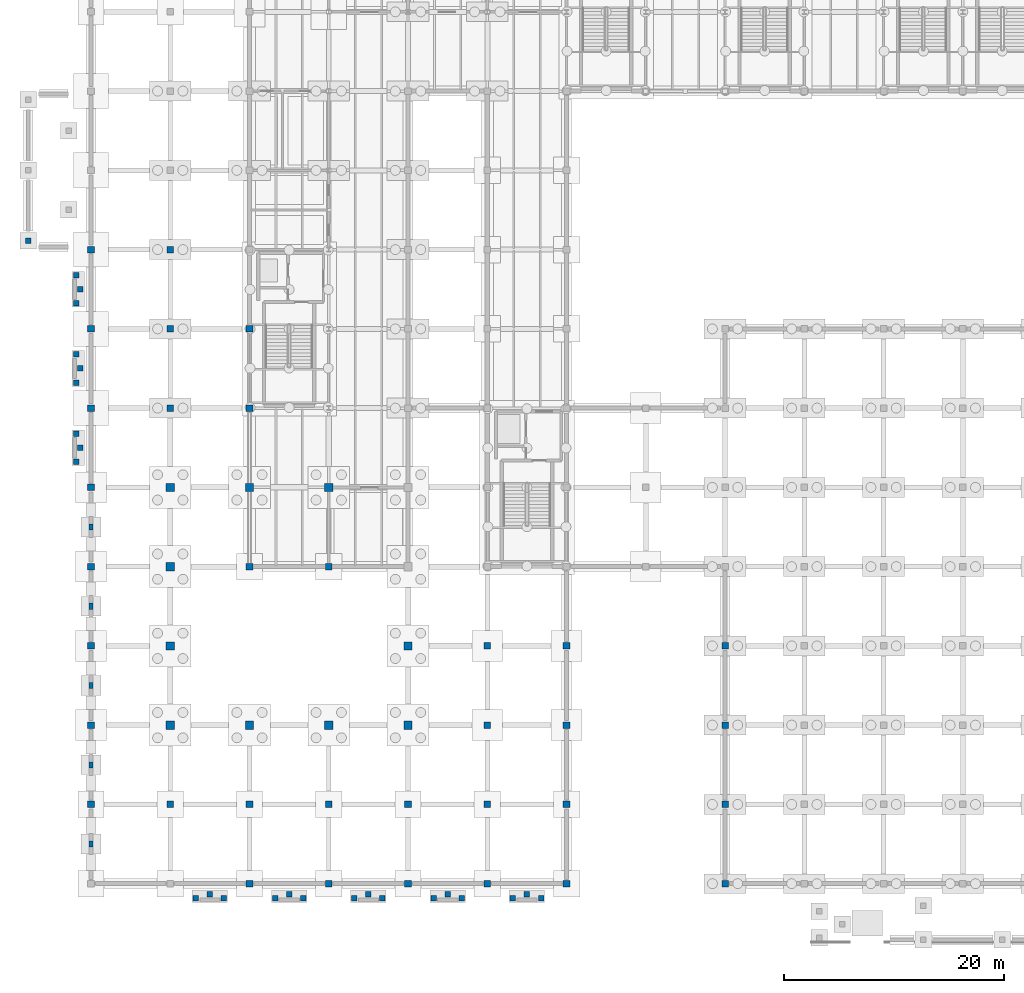
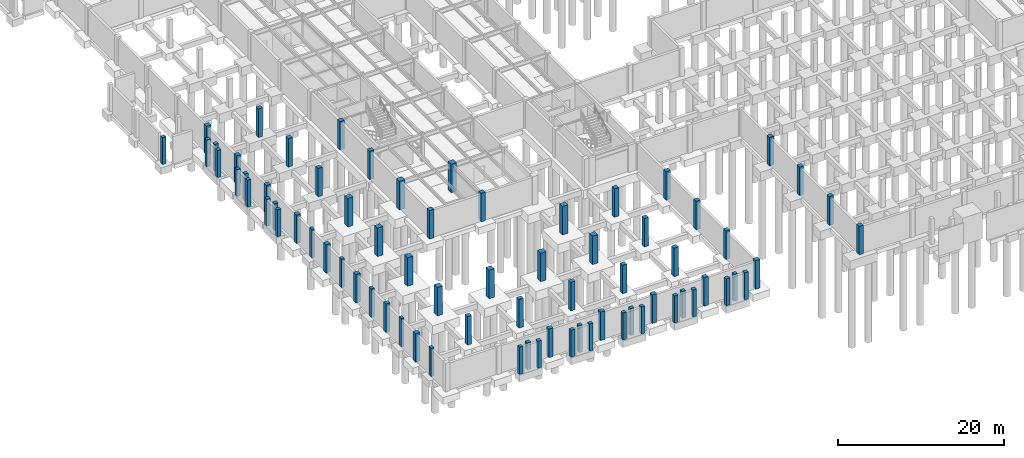
# One storey, part 11 of 46: 74 columns.
"""IFC4 building model written with IfcOpenShell, lengths in metres."""

from ifc_helpers import new_model, si_unit, direction, frame, origin, origin_2d, place, context, subcontext, project, spatial, rectangle, extrude, material, material_profile, profile_set, type_object, element, save


model = new_model("IFC4")

# Units and contexts
model_context = context("Model", 3, precision=1e-05, world=origin(), true_north=direction((0.0, 1.0)))
body_context = subcontext(model_context, "Body", "Model", "MODEL_VIEW")
ifc_project = project(units=[si_unit("LENGTHUNIT", "METRE"), si_unit("AREAUNIT", "SQUARE_METRE"), si_unit("VOLUMEUNIT", "CUBIC_METRE"), si_unit("PLANEANGLEUNIT", "RADIAN"), si_unit("MASSUNIT", "GRAM", prefix="KILO")], contexts=[model_context])

# Site, building, storey
site_placement = place(None, origin())
site = spatial("IfcSite", under=ifc_project, at=site_placement, CompositionType="ELEMENT")
building_placement = place(site_placement, origin())
building = spatial("IfcBuilding", under=site, at=building_placement, Name="Sillqori Civic Hall", CompositionType="ELEMENT")
storey_placement = place(building_placement, frame((0.0, 0.0, -4.199951171875)))
storey = spatial("IfcBuildingStorey", under=building, at=storey_placement, Name="B01", CompositionType="ELEMENT", Elevation=-4.199951171875)

# Columns
ifc_material = material(Name="Concrete C35/45 (H35)", Category="concrete")
ifc_material_profile_1 = material_profile(ifc_material, rectangle(XDim=0.5, YDim=0.5, at=origin_2d()), Name="RC 500x500")
ifc_profile_set_1 = profile_set([ifc_material_profile_1], Name="Concrete C35/45 (H35)")
column_type_1 = type_object("IfcColumnType", Name="COL-RC500", PredefinedType="COLUMN", material=ifc_profile_set_1)
for number, where, z_axis, x_axis, name in (
    (1, (1.5, 65.60009765625, 0.0), (0.0, 0.0, 1.0), (1.0, 0.0, 0.0), "Truck loading dock grade apron subgrade pier 1"),
    (2, (5.8798828125, 45.52001953125, 0.0), (0.0, 0.0, 1.0), (1.0, 0.0, 0.0), "Council West Avenue Exit subgrade pier 1"),
    (3, (5.8798828125, 48.080078125, 0.0), (0.0, 0.0, 1.0), (1.0, 0.0, 0.0), "Council West Avenue Exit subgrade pier 2"),
    (4, (6.239990234375, 46.800048828125, 0.0), (0.0, 0.0, 1.0), (1.0, 0.0, 0.0), "Council West Avenue Exit subgrade pier 3"),
    (5, (5.8798828125, 52.719970703125, 0.0), (0.0, 0.0, 1.0), (1.0, 0.0, 0.0), "West Directorate Service Exit subgrade pier 1"),
    (6, (5.8798828125, 55.280029296875, 0.0), (0.0, 0.0, 1.0), (1.0, 0.0, 0.0), "West Directorate Service Exit subgrade pier 2"),
    (7, (6.239990234375, 54.0, 0.0), (0.0, 0.0, 1.0), (1.0, 0.0, 0.0), "West Directorate Service Exit subgrade pier 3"),
    (8, (5.8798828125, 59.919921875, 0.0), (0.0, 0.0, 1.0), (1.0, 0.0, 0.0), "Committee Wing West Street Portal subgrade pier 1"),
    (9, (5.8798828125, 62.47998046875, 0.0), (0.0, 0.0, 1.0), (1.0, 0.0, 0.0), "Committee Wing West Street Portal subgrade pier 2"),
    (10, (6.239990234375, 61.199951171875, 0.0), (0.0, 0.0, 1.0), (1.0, 0.0, 0.0), "Committee Wing West Street Portal subgrade pier 3"),
    (11, (16.719970703125, 5.8798828125, 0.0), (0.0, 0.0, 1.0), (1.0, 0.0, 0.0), "Council Chamber West Street Portal subgrade pier 1"),
    (12, (19.280029296875, 5.8798828125, 0.0), (0.0, 0.0, 1.0), (1.0, 0.0, 0.0), "Council Chamber West Street Portal subgrade pier 2"),
    (13, (18.0, 6.239990234375, 0.0), (0.0, 0.0, 1.0), (1.0, 0.0, 0.0), "Council Chamber West Street Portal subgrade pier 3"),
    (14, (23.919921875, 5.8798828125, 0.0), (0.0, 0.0, 1.0), (1.0, 0.0, 0.0), "Council Chamber Ceremonial Entrance subgrade pier 1"),
    (15, (26.47998046875, 5.8798828125, 0.0), (0.0, 0.0, 1.0), (1.0, 0.0, 0.0), "Council Chamber Ceremonial Entrance subgrade pier 2"),
    (16, (25.199951171875, 6.239990234375, 0.0), (0.0, 0.0, 1.0), (1.0, 0.0, 0.0), "Council Chamber Ceremonial Entrance subgrade pier 3"),
    (17, (31.1201171875, 5.8798828125, 0.0), (0.0, 0.0, 1.0), (1.0, 0.0, 0.0), "Council Chamber East Street Portal subgrade pier 1"),
    (18, (33.679931640625, 5.8798828125, 0.0), (0.0, 0.0, 1.0), (1.0, 0.0, 0.0), "Council Chamber East Street Portal subgrade pier 2"),
    (19, (32.39990234375, 6.239990234375, 0.0), (0.0, 0.0, 1.0), (1.0, 0.0, 0.0), "Council Chamber East Street Portal subgrade pier 3"),
    (20, (38.320068359375, 5.8798828125, 0.0), (0.0, 0.0, 1.0), (1.0, 0.0, 0.0), "Council Foyer South Exit subgrade pier 1"),
    (21, (40.8798828125, 5.8798828125, 0.0), (0.0, 0.0, 1.0), (1.0, 0.0, 0.0), "Council Foyer South Exit subgrade pier 2"),
    (22, (39.60009765625, 6.239990234375, 0.0), (0.0, 0.0, 1.0), (1.0, 0.0, 0.0), "Council Foyer South Exit subgrade pier 3"),
    (23, (45.52001953125, 5.8798828125, 0.0), (0.0, 0.0, 1.0), (1.0, 0.0, 0.0), "Council Foyer Promenade Portal subgrade pier 1"),
    (24, (48.080078125, 5.8798828125, 0.0), (0.0, 0.0, 1.0), (1.0, 0.0, 0.0), "Council Foyer Promenade Portal subgrade pier 2"),
    (25, (46.800048828125, 6.239990234375, 0.0), (0.0, 0.0, 1.0), (1.0, 0.0, 0.0), "Council Foyer Promenade Portal subgrade pier 3"),
):
    element("IfcColumn", number, at=place(storey_placement, frame(where, z_axis=z_axis, x_axis=x_axis)), inside=storey, type_object=column_type_1, Name=name, PredefinedType="COLUMN", context=body_context, shape_type="SweptSolid", body=[
        extrude(rectangle(XDim=0.5, YDim=0.5, at=origin_2d()), origin(), (0.0, 0.0, 1.0), 3.97998046875),
    ])
ifc_material_profile_2 = material_profile(ifc_material, rectangle(XDim=0.60009765625, YDim=0.60009765625, at=origin_2d()), Name="RC 600x600")
ifc_profile_set_2 = profile_set([ifc_material_profile_2], Name="Concrete C35/45 (H35)")
column_type_2 = type_object("IfcColumnType", Name="COL-RC600", PredefinedType="COLUMN", material=ifc_profile_set_2)
for number, where, z_axis, x_axis, name in (
    (26, (7.199951171875, 14.39990234375, 0.0), (0.0, 0.0, 1.0), (1.0, 0.0, 0.0), "B01 column 1-2"),
    (27, (7.199951171875, 21.60009765625, 0.0), (0.0, 0.0, 1.0), (1.0, 0.0, 0.0), "B01 column 1-3"),
    (28, (7.199951171875, 28.800048828125, 0.0), (0.0, 0.0, 1.0), (1.0, 0.0, 0.0), "B01 column 1-4"),
    (29, (7.199951171875, 36.0, 0.0), (0.0, 0.0, 1.0), (1.0, 0.0, 0.0), "B01 column 1-5"),
    (30, (7.199951171875, 43.199951171875, 0.0), (0.0, 0.0, 1.0), (1.0, 0.0, 0.0), "B01 column 1-6"),
    (31, (7.199951171875, 50.39990234375, 0.0), (0.0, 0.0, 1.0), (1.0, 0.0, 0.0), "B01 column 1-7"),
    (32, (7.199951171875, 57.60009765625, 0.0), (0.0, 0.0, 1.0), (1.0, 0.0, 0.0), "B01 column 1-8"),
    (33, (7.199951171875, 64.800048828125, 0.0), (0.0, 0.0, 1.0), (1.0, 0.0, 0.0), "B01 column 1-9"),
    (34, (14.39990234375, 14.39990234375, 0.0), (0.0, 0.0, 1.0), (1.0, 0.0, 0.0), "B01 column 2-2"),
    (35, (14.39990234375, 50.39990234375, 0.0), (0.0, 0.0, 1.0), (1.0, 0.0, 0.0), "B01 column 2-7"),
    (36, (14.39990234375, 57.60009765625, 0.0), (0.0, 0.0, 1.0), (1.0, 0.0, 0.0), "B01 column 2-8"),
    (37, (14.39990234375, 64.800048828125, 0.0), (0.0, 0.0, 1.0), (1.0, 0.0, 0.0), "B01 column 2-9"),
    (38, (21.60009765625, 7.199951171875, 0.0), (0.0, 0.0, 1.0), (1.0, 0.0, 0.0), "B01 column 3-1"),
    (39, (21.60009765625, 14.39990234375, 0.0), (0.0, 0.0, 1.0), (1.0, 0.0, 0.0), "B01 column 3-2"),
    (40, (21.60009765625, 36.0, 0.0), (0.0, 0.0, 1.0), (1.0, 0.0, 0.0), "B01 column 3-5"),
    (41, (21.60009765625, 50.39990234375, 0.0), (0.0, 0.0, 1.0), (1.0, 0.0, 0.0), "B01 column 3-7"),
    (42, (21.60009765625, 57.60009765625, 0.0), (0.0, 0.0, 1.0), (1.0, 0.0, 0.0), "B01 column 3-8"),
    (43, (28.800048828125, 7.199951171875, 0.0), (0.0, 0.0, 1.0), (1.0, 0.0, 0.0), "B01 column 4-1"),
    (44, (28.800048828125, 14.39990234375, 0.0), (0.0, 0.0, 1.0), (1.0, 0.0, 0.0), "B01 column 4-2"),
    (45, (28.800048828125, 36.0, 0.0), (0.0, 0.0, 1.0), (1.0, 0.0, 0.0), "B01 column 4-5"),
    (46, (36.0, 7.199951171875, 0.0), (0.0, 0.0, 1.0), (1.0, 0.0, 0.0), "B01 column 5-1"),
    (47, (36.0, 14.39990234375, 0.0), (0.0, 0.0, 1.0), (1.0, 0.0, 0.0), "B01 column 5-2"),
    (48, (43.199951171875, 7.199951171875, 0.0), (0.0, 0.0, 1.0), (1.0, 0.0, 0.0), "B01 column 6-1"),
    (49, (43.199951171875, 14.39990234375, 0.0), (0.0, 0.0, 1.0), (1.0, 0.0, 0.0), "B01 column 6-2"),
    (50, (43.199951171875, 21.60009765625, 0.0), (0.0, 0.0, 1.0), (1.0, 0.0, 0.0), "B01 column 6-3"),
    (51, (43.199951171875, 28.800048828125, 0.0), (0.0, 0.0, 1.0), (1.0, 0.0, 0.0), "B01 column 6-4"),
    (52, (50.39990234375, 7.199951171875, 0.0), (0.0, 0.0, 1.0), (1.0, 0.0, 0.0), "B01 column 7-1"),
    (53, (50.39990234375, 14.39990234375, 0.0), (0.0, 0.0, 1.0), (1.0, 0.0, 0.0), "B01 column 7-2"),
    (54, (50.39990234375, 21.60009765625, 0.0), (0.0, 0.0, 1.0), (1.0, 0.0, 0.0), "B01 column 7-3"),
    (55, (50.39990234375, 28.800048828125, 0.0), (0.0, 0.0, 1.0), (1.0, 0.0, 0.0), "B01 column 7-4"),
    (56, (64.800048828125, 7.199951171875, 0.0), (0.0, 0.0, 1.0), (1.0, 0.0, 0.0), "B01 column 9-1"),
    (57, (64.800048828125, 14.39990234375, 0.0), (0.0, 0.0, 1.0), (1.0, 0.0, 0.0), "B01 column 9-2"),
    (58, (64.800048828125, 21.60009765625, 0.0), (0.0, 0.0, 1.0), (1.0, 0.0, 0.0), "B01 column 9-3"),
    (59, (64.800048828125, 28.800048828125, 0.0), (0.0, 0.0, 1.0), (1.0, 0.0, 0.0), "B01 column 9-4"),
):
    element("IfcColumn", number, at=place(storey_placement, frame(where, z_axis=z_axis, x_axis=x_axis)), inside=storey, type_object=column_type_2, Name=name, PredefinedType="COLUMN", context=body_context, shape_type="SweptSolid", body=[
        extrude(rectangle(XDim=0.60009765625, YDim=0.60009765625, at=origin_2d()), origin(), (0.0, 0.0, 1.0), 4.199951171875),
    ])
ifc_material_profile_3 = material_profile(ifc_material, rectangle(XDim=0.75, YDim=0.75, at=origin_2d()), Name="RC 750x750")
ifc_profile_set_3 = profile_set([ifc_material_profile_3], Name="Concrete C35/45 (H35)")
column_type_3 = type_object("IfcColumnType", Name="COL-RC750", PredefinedType="COLUMN", material=ifc_profile_set_3)
for number, where, z_axis, x_axis, name in (
    (60, (14.39990234375, 21.60009765625, 0.0), (0.0, 0.0, 1.0), (1.0, 0.0, 0.0), "B01 column 2-3"),
    (61, (14.39990234375, 28.800048828125, 0.0), (0.0, 0.0, 1.0), (1.0, 0.0, 0.0), "B01 column 2-4"),
    (62, (14.39990234375, 36.0, 0.0), (0.0, 0.0, 1.0), (1.0, 0.0, 0.0), "B01 column 2-5"),
    (63, (14.39990234375, 43.199951171875, 0.0), (0.0, 0.0, 1.0), (1.0, 0.0, 0.0), "B01 column 2-6"),
    (64, (21.60009765625, 21.60009765625, 0.0), (0.0, 0.0, 1.0), (1.0, 0.0, 0.0), "B01 column 3-3"),
    (65, (21.60009765625, 43.199951171875, 0.0), (0.0, 0.0, 1.0), (1.0, 0.0, 0.0), "B01 column 3-6"),
    (66, (28.800048828125, 21.60009765625, 0.0), (0.0, 0.0, 1.0), (1.0, 0.0, 0.0), "B01 column 4-3"),
    (67, (28.800048828125, 43.199951171875, 0.0), (0.0, 0.0, 1.0), (1.0, 0.0, 0.0), "B01 column 4-6"),
    (68, (36.0, 21.60009765625, 0.0), (0.0, 0.0, 1.0), (1.0, 0.0, 0.0), "B01 column 5-3"),
    (69, (36.0, 28.800048828125, 0.0), (0.0, 0.0, 1.0), (1.0, 0.0, 0.0), "B01 column 5-4"),
):
    element("IfcColumn", number, at=place(storey_placement, frame(where, z_axis=z_axis, x_axis=x_axis)), inside=storey, type_object=column_type_3, Name=name, PredefinedType="COLUMN", context=body_context, shape_type="SweptSolid", body=[
        extrude(rectangle(XDim=0.75, YDim=0.75, at=origin_2d()), origin(), (0.0, 0.0, 1.0), 4.199951171875),
    ])
ifc_material_profile_4 = material_profile(ifc_material, rectangle(XDim=0.39990234375, YDim=0.550048828125, at=origin_2d()), Name="RC 400x550")
ifc_profile_set_4 = profile_set([ifc_material_profile_4], Name="Concrete C35/45 (H35)")
column_type_4 = type_object("IfcColumnType", Name="PIL-RC400", PredefinedType="PILASTER", material=ifc_profile_set_4)
for number, where, z_axis, x_axis, name in (
    (70, (7.199951171875, 10.800048828125, 0.0), (0.0, 0.0, 1.0), (1.0, 0.0, 0.0), "B01 facade pilaster 01"),
    (71, (7.199951171875, 18.0, 0.0), (0.0, 0.0, 1.0), (1.0, 0.0, 0.0), "B01 facade pilaster 02"),
    (72, (7.199951171875, 25.199951171875, 0.0), (0.0, 0.0, 1.0), (1.0, 0.0, 0.0), "B01 facade pilaster 03"),
    (73, (7.199951171875, 32.39990234375, 0.0), (0.0, 0.0, 1.0), (1.0, 0.0, 0.0), "B01 facade pilaster 04"),
    (74, (7.199951171875, 39.60009765625, 0.0), (0.0, 0.0, 1.0), (1.0, 0.0, 0.0), "B01 facade pilaster 05"),
):
    element("IfcColumn", number, at=place(storey_placement, frame(where, z_axis=z_axis, x_axis=x_axis)), inside=storey, type_object=column_type_4, Name=name, PredefinedType="PILASTER", context=body_context, shape_type="SweptSolid", body=[
        extrude(rectangle(XDim=0.39990234375, YDim=0.550048828125, at=origin_2d()), origin(), (0.0, 0.0, 1.0), 4.199951171875),
    ])

save(model, "model.ifc")
